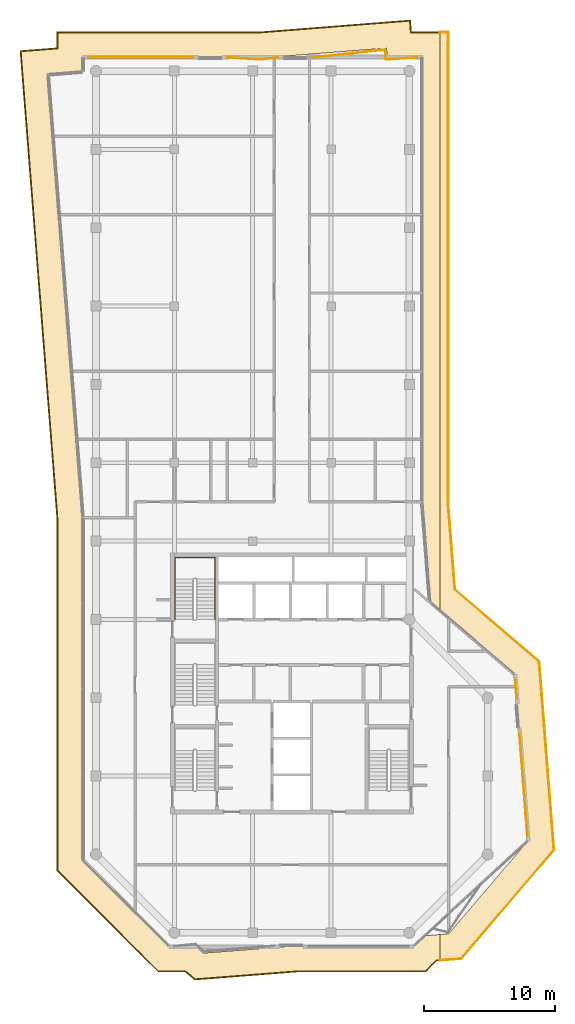
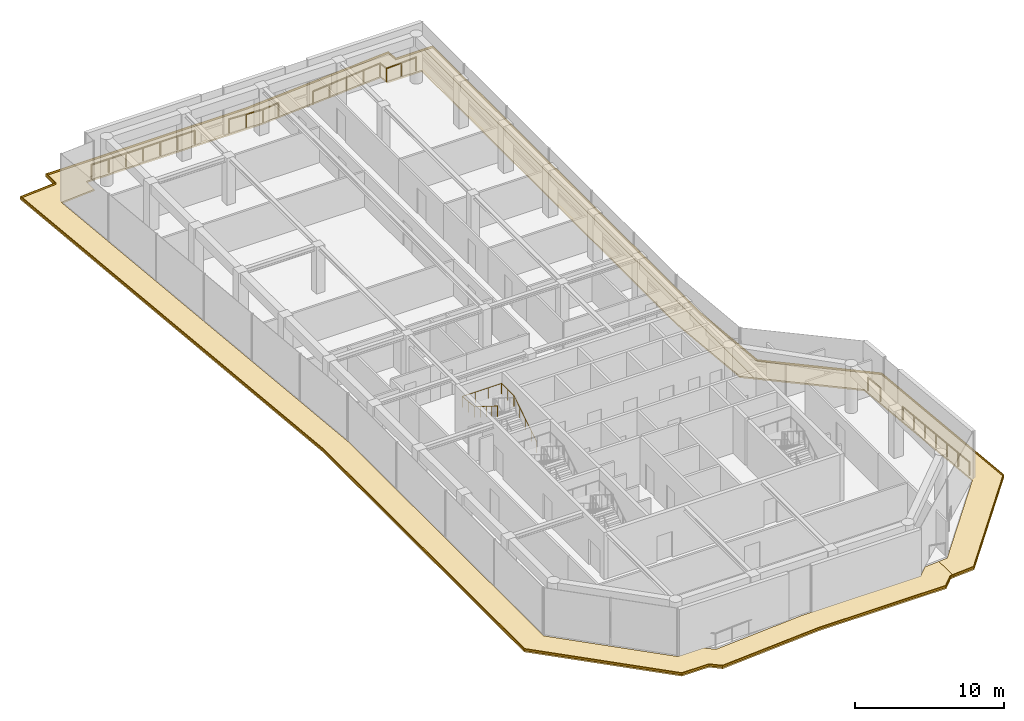
# One storey, part 23 of 23: 6 railings, 4 coverings.
"""IFC4 building model written with IfcOpenShell, lengths in metres."""

from ifc_helpers import new_model, si_unit, direction, frame, origin, origin_2d, place, context, subcontext, project, spatial, polyline, circle, outline, extrude, material, layer, layer_set, type_object, element, save


model = new_model("IFC4")

# Units and contexts
model_context = context("Model", 3, precision=1e-05, world=origin(), true_north=direction((0.0, 1.0)))
body_context = subcontext(model_context, "Body", "Model", "MODEL_VIEW")
ifc_project = project(units=[si_unit("LENGTHUNIT", "METRE"), si_unit("AREAUNIT", "SQUARE_METRE"), si_unit("VOLUMEUNIT", "CUBIC_METRE"), si_unit("PLANEANGLEUNIT", "RADIAN"), si_unit("MASSUNIT", "GRAM", prefix="KILO")], contexts=[model_context])

# Site, building, storey
site_placement = place(None, origin())
site = spatial("IfcSite", under=ifc_project, at=site_placement, CompositionType="ELEMENT")
building_placement = place(site_placement, origin())
building = spatial("IfcBuilding", under=site, at=building_placement, Name="Welwitschia Terrace Campus", CompositionType="ELEMENT")
storey_placement = place(building_placement, frame((0.0, 0.0, 306.199951171875)))
storey = spatial("IfcBuildingStorey", under=building, at=storey_placement, Name="L68", CompositionType="ELEMENT", Elevation=306.199951171875)

# Railings
ifc_material_1 = material(Name="Stainless steel grade 316", Category="steel")
railing_type_1 = type_object("IfcRailingType", Name="Guard 1100", PredefinedType="GUARDRAIL", material=ifc_material_1)
railing_1_placement = place(storey_placement, frame((-0.580078125, 63.030029296875, 0.0)))
element("IfcRailing", 1, at=railing_1_placement, inside=storey, type_object=railing_type_1, Name="Guard floor edge L68.0", PredefinedType="GUARDRAIL", context=body_context, shape_type="SweptSolid", body=[
    extrude(circle(Radius=0.02392578125, at=origin_2d()), frame((0.0, 0.0, 1.076171875), z_axis=(1.0, 0.0, 0.0), x_axis=(0.0, 1.0, 0.0)), (0.0, 0.0, 1.0), 7.998779296875),
    extrude(circle(Radius=0.02099609375, at=origin_2d()), origin(), (0.0, 0.0, 1.0), 1.052001953125),
    extrude(circle(Radius=0.02099609375, at=origin_2d()), frame((1.3330078125, 0.0, 0.0)), (0.0, 0.0, 1.0), 1.052001953125),
    extrude(circle(Radius=0.02099609375, at=origin_2d()), frame((2.666259765625, 0.0, 0.0)), (0.0, 0.0, 1.0), 1.052001953125),
    extrude(circle(Radius=0.02099609375, at=origin_2d()), frame((3.99951171875, 0.0, 0.0)), (0.0, 0.0, 1.0), 1.052001953125),
    extrude(circle(Radius=0.02099609375, at=origin_2d()), frame((5.33251953125, 0.0, 0.0)), (0.0, 0.0, 1.0), 1.052001953125),
    extrude(circle(Radius=0.02099609375, at=origin_2d()), frame((6.66552734375, 0.0, 0.0)), (0.0, 0.0, 1.0), 1.052001953125),
    extrude(circle(Radius=0.02099609375, at=origin_2d()), frame((7.998779296875, 0.0, 0.0)), (0.0, 0.0, 1.0), 1.052001953125),
])
railing_2_placement = place(storey_placement, frame((10.066162109375, 63.030029296875, 0.0)))
element("IfcRailing", 2, at=railing_2_placement, inside=storey, type_object=railing_type_1, Name="Guard floor edge L68.2", PredefinedType="GUARDRAIL", context=body_context, shape_type="SweptSolid", body=[
    extrude(circle(Radius=0.02392578125, at=origin_2d()), frame((0.0, 0.0, 1.076171875), z_axis=(0.998273384996, -0.058738818578, 0.0), x_axis=(0.058738818578, 0.998273384996, 0.0)), (0.0, 0.0, 1.0), 2.55615234375),
    extrude(circle(Radius=0.02392578125, at=origin_2d()), frame((2.5517578125, -0.150146484375, 1.076171875), z_axis=(0.993319889895, 0.115393224837, 0.0), x_axis=(-0.115393224837, 0.993319889895, 0.0)), (0.0, 0.0, 1.0), 1.30126953125),
    extrude(circle(Radius=0.02099609375, at=origin_2d()), origin(), (0.0, 0.0, 1.0), 1.052001953125),
    extrude(circle(Radius=0.02099609375, at=origin_2d()), frame((1.27587890625, -0.0751953125, 0.0)), (0.0, 0.0, 1.0), 1.052001953125),
    extrude(circle(Radius=0.02099609375, at=origin_2d()), frame((2.5517578125, -0.150146484375, 0.0)), (0.0, 0.0, 1.0), 1.052001953125),
    extrude(circle(Radius=0.02099609375, at=origin_2d()), frame((3.84423828125, 0.0, 0.0)), (0.0, 0.0, 1.0), 1.052001953125),
])
railing_3_placement = place(storey_placement, frame((16.576904296875, 63.030029296875, 0.0)))
element("IfcRailing", 3, at=railing_3_placement, inside=storey, type_object=railing_type_1, Name="Guard floor edge L68.4", PredefinedType="GUARDRAIL", context=body_context, shape_type="SweptSolid", body=[
    extrude(circle(Radius=0.02392578125, at=origin_2d()), frame((0.0, 0.0, 1.076171875), z_axis=(0.994246422852, 0.107116995133, 0.0), x_axis=(-0.107116995133, 0.994246422852, 0.0)), (0.0, 0.0, 1.0), 5.595458984375),
    extrude(circle(Radius=0.02392578125, at=origin_2d()), frame((5.563232421875, 0.599365234375, 1.076171875), z_axis=(0.078583590154, -0.996907527988, 0.0), x_axis=(0.996907527988, 0.078583590154, 0.0)), (0.0, 0.0, 1.0), 0.751953125),
    extrude(circle(Radius=0.02392578125, at=origin_2d()), frame((5.622314453125, -0.150146484375, 1.076171875), z_axis=(0.998017378586, 0.062938954864, 0.0), x_axis=(-0.062938954864, 0.998017378586, 0.0)), (0.0, 0.0, 1.0), 2.385498046875),
    extrude(circle(Radius=0.02099609375, at=origin_2d()), origin(), (0.0, 0.0, 1.0), 1.052001953125),
    extrude(circle(Radius=0.02099609375, at=origin_2d()), frame((1.390869140625, 0.14990234375, 0.0)), (0.0, 0.0, 1.0), 1.052001953125),
    extrude(circle(Radius=0.02099609375, at=origin_2d()), frame((2.78173828125, 0.2998046875, 0.0)), (0.0, 0.0, 1.0), 1.052001953125),
    extrude(circle(Radius=0.02099609375, at=origin_2d()), frame((4.17236328125, 0.449462890625, 0.0)), (0.0, 0.0, 1.0), 1.052001953125),
    extrude(circle(Radius=0.02099609375, at=origin_2d()), frame((5.563232421875, 0.599365234375, 0.0)), (0.0, 0.0, 1.0), 1.052001953125),
    extrude(circle(Radius=0.02099609375, at=origin_2d()), frame((5.622314453125, -0.150146484375, 0.0)), (0.0, 0.0, 1.0), 1.052001953125),
    extrude(circle(Radius=0.02099609375, at=origin_2d()), frame((6.812744140625, -0.0751953125, 0.0)), (0.0, 0.0, 1.0), 1.052001953125),
    extrude(circle(Radius=0.02099609375, at=origin_2d()), frame((8.003173828125, 0.0, 0.0)), (0.0, 0.0, 1.0), 1.052001953125),
])
railing_4_placement = place(storey_placement, frame((32.106201171875, 15.385498046875, 0.0)))
element("IfcRailing", 4, at=railing_4_placement, inside=storey, type_object=railing_type_1, Name="Guard floor edge L68.6", PredefinedType="GUARDRAIL", context=body_context, shape_type="SweptSolid", body=[
    extrude(circle(Radius=0.02392578125, at=origin_2d()), frame((0.0, 0.0, 1.076171875), z_axis=(0.07845417653, -0.99691772087, 0.0), x_axis=(0.99691772087, 0.07845417653, 0.0)), (0.0, 0.0, 1.0), 1.4658203125),
    extrude(circle(Radius=0.02099609375, at=origin_2d()), origin(), (0.0, 0.0, 1.0), 1.052001953125),
    extrude(circle(Radius=0.02099609375, at=origin_2d()), frame((0.114990234375, -1.461181640625, 0.0)), (0.0, 0.0, 1.0), 1.052001953125),
])
railing_5_placement = place(storey_placement, frame((32.4287109375, 11.284912109375, 0.0)))
element("IfcRailing", 5, at=railing_5_placement, inside=storey, type_object=railing_type_1, Name="Guard floor edge L68.7", PredefinedType="GUARDRAIL", context=body_context, shape_type="SweptSolid", body=[
    extrude(circle(Radius=0.02392578125, at=origin_2d()), frame((0.0, 0.0, 1.076171875), z_axis=(0.078477584204, -0.996915878486, 0.0), x_axis=(0.996915878486, 0.078477584204, 0.0)), (0.0, 0.0, 1.0), 7.892578125),
    extrude(circle(Radius=0.02099609375, at=origin_2d()), origin(), (0.0, 0.0, 1.0), 1.052001953125),
    extrude(circle(Radius=0.02099609375, at=origin_2d()), frame((0.103271484375, -1.311279296875, 0.0)), (0.0, 0.0, 1.0), 1.052001953125),
    extrude(circle(Radius=0.02099609375, at=origin_2d()), frame((0.20654296875, -2.622802734375, 0.0)), (0.0, 0.0, 1.0), 1.052001953125),
    extrude(circle(Radius=0.02099609375, at=origin_2d()), frame((0.3095703125, -3.93408203125, 0.0)), (0.0, 0.0, 1.0), 1.052001953125),
    extrude(circle(Radius=0.02099609375, at=origin_2d()), frame((0.412841796875, -5.245361328125, 0.0)), (0.0, 0.0, 1.0), 1.052001953125),
    extrude(circle(Radius=0.02099609375, at=origin_2d()), frame((0.51611328125, -6.556884765625, 0.0)), (0.0, 0.0, 1.0), 1.052001953125),
    extrude(circle(Radius=0.02099609375, at=origin_2d()), frame((0.619384765625, -7.8681640625, 0.0)), (0.0, 0.0, 1.0), 1.052001953125),
])
ifc_material_2 = material(Name="Steel S355", Category="steel")
railing_type_2 = type_object("IfcRailingType", Name="Stair handrail 900", PredefinedType="HANDRAIL", material=ifc_material_2)
railing_6_placement = place(storey_placement, frame((9.10009765625, 20.0, 0.175048828125)))
element("IfcRailing", 6, at=railing_6_placement, inside=storey, type_object=railing_type_2, Name="L68 S4 stair handrail", PredefinedType="HANDRAIL", context=body_context, shape_type="SweptSolid", body=[
    extrude(circle(Radius=0.02392578125, at=origin_2d()), frame((0.0, 0.0, 0.8759765625), z_axis=(0.0, 0.847998304005, 0.529998940003), x_axis=(-1.0, 0.0, 0.0)), (0.0, 0.0, 1.0), 3.632080078125),
    extrude(circle(Radius=0.02392578125, at=origin_2d()), frame((0.0, 3.080078125, 2.80078125), z_axis=(0.0, 1.0, 0.0), x_axis=(-1.0, 0.0, 0.0)), (0.0, 0.0, 1.0), 1.669921875),
    extrude(circle(Radius=0.02392578125, at=origin_2d()), frame((0.0, 4.75, 2.80078125), z_axis=(-1.0, 0.0, 0.0), x_axis=(0.0, -1.0, 0.0)), (0.0, 0.0, 1.0), 3.050048828125),
    extrude(circle(Radius=0.02392578125, at=origin_2d()), frame((-3.050048828125, 4.75, 2.80078125), z_axis=(0.0, -0.99455077262, 0.104253348533), x_axis=(1.0, 0.0, 0.0)), (0.0, 0.0, 1.0), 1.678955078125),
    extrude(circle(Radius=0.02392578125, at=origin_2d()), frame((-3.050048828125, 3.080078125, 2.97607421875), z_axis=(0.0, -0.848028513186, 0.529950602248), x_axis=(1.0, 0.0, 0.0)), (0.0, 0.0, 1.0), 3.632080078125),
    extrude(circle(Radius=0.02099609375, at=origin_2d()), origin(), (0.0, 0.0, 1.0), 0.851806640625),
    extrude(circle(Radius=0.02099609375, at=origin_2d()), frame((0.0, 0.77001953125, 0.481201171875)), (0.0, 0.0, 1.0), 0.851806640625),
    extrude(circle(Radius=0.02099609375, at=origin_2d()), frame((0.0, 1.5400390625, 0.96240234375)), (0.0, 0.0, 1.0), 0.851806640625),
    extrude(circle(Radius=0.02099609375, at=origin_2d()), frame((0.0, 2.31005859375, 1.44384765625)), (0.0, 0.0, 1.0), 0.851806640625),
    extrude(circle(Radius=0.02099609375, at=origin_2d()), frame((0.0, 3.080078125, 1.925048828125)), (0.0, 0.0, 1.0), 0.851806640625),
    extrude(circle(Radius=0.02099609375, at=origin_2d()), frame((0.0, 3.9150390625, 1.925048828125)), (0.0, 0.0, 1.0), 0.851806640625),
    extrude(circle(Radius=0.02099609375, at=origin_2d()), frame((0.0, 4.75, 1.925048828125)), (0.0, 0.0, 1.0), 0.851806640625),
    extrude(circle(Radius=0.02099609375, at=origin_2d()), frame((-1.0166015625, 4.75, 1.925048828125)), (0.0, 0.0, 1.0), 0.851806640625),
    extrude(circle(Radius=0.02099609375, at=origin_2d()), frame((-2.033447265625, 4.75, 1.925048828125)), (0.0, 0.0, 1.0), 0.851806640625),
    extrude(circle(Radius=0.02099609375, at=origin_2d()), frame((-3.050048828125, 4.75, 1.925048828125)), (0.0, 0.0, 1.0), 0.851806640625),
    extrude(circle(Radius=0.02099609375, at=origin_2d()), frame((-3.050048828125, 3.9150390625, 2.0126953125)), (0.0, 0.0, 1.0), 0.851806640625),
    extrude(circle(Radius=0.02099609375, at=origin_2d()), frame((-3.050048828125, 3.080078125, 2.10009765625)), (0.0, 0.0, 1.0), 0.851806640625),
    extrude(circle(Radius=0.02099609375, at=origin_2d()), frame((-3.050048828125, 2.31005859375, 2.581298828125)), (0.0, 0.0, 1.0), 0.851806640625),
    extrude(circle(Radius=0.02099609375, at=origin_2d()), frame((-3.050048828125, 1.5400390625, 3.0625)), (0.0, 0.0, 1.0), 0.851806640625),
    extrude(circle(Radius=0.02099609375, at=origin_2d()), frame((-3.050048828125, 0.77001953125, 3.543701171875)), (0.0, 0.0, 1.0), 0.851806640625),
    extrude(circle(Radius=0.02099609375, at=origin_2d()), frame((-3.050048828125, 0.0, 4.02490234375)), (0.0, 0.0, 1.0), 0.851806640625),
])

# Coverings
ifc_material_3 = material(Name="Bronze anodised aluminium", Category="aluminium")
ifc_layer_1 = layer(ifc_material_3, 0.1201171875)
ifc_layer_set_1 = layer_set([ifc_layer_1], Name="Bronze anodised aluminium")
covering_type_1 = type_object("IfcCoveringType", Name="Sunshade band 2000", PredefinedType="USERDEFINED", material=ifc_layer_set_1)
covering_1_placement = place(storey_placement, frame((0.0, 0.0, -0.25)))
element("IfcCovering", 7, at=covering_1_placement, inside=storey, type_object=covering_type_1, Name="SUNSHADE L68.SW0", ObjectType="SUNSHADE", PredefinedType="USERDEFINED", context=body_context, shape_type="SweptSolid", body=[
    extrude(outline(polyline([(-3.0, 63.77734375), (-3.0, 65.0), (12.534423828125, 65.0), (24.08740234375, 65.9091796875), (24.158935546875, 65.0), (26.33056640625, 65.0), (26.33056640625, 20.6728515625), (25.591552734375, 21.303955078125), (25.0, 28.8212890625), (25.0, 63.0), (22.31005859375, 63.0), (22.25048828125, 63.758544921875), (12.613037109375, 63.0), (-1.0, 63.0), (-1.0, 61.9287109375), (-3.66943359375, 61.718505859375), (-1.0, 27.7998046875), (-1.0, 1.585693359375), (5.585693359375, -5.0), (7.581298828125, -5.0), (8.231201171875, -5.55517578125), (15.284912109375, -5.0), (24.414306640625, -5.0), (25.194091796875, -4.22021484375), (26.33056640625, -4.130615234375), (26.33056640625, -6.136962890625), (26.086669921875, -6.156005859375), (25.24267578125, -7.0), (15.36328125, -7.0), (7.562255859375, -7.614013671875), (6.843505859375, -7.0), (4.75732421875, -7.0), (-3.0, 0.75732421875), (-3.0, 27.72119140625), (-5.8203125, 63.555419921875), (-3.0, 63.77734375)])), origin(), (0.0, 0.0, 1.0), 0.1201171875),
])
covering_2_placement = place(storey_placement, frame((0.0, 0.0, -0.25)))
element("IfcCovering", 8, at=covering_2_placement, inside=storey, type_object=covering_type_1, Name="SUNSHADE L68.SE0", ObjectType="SUNSHADE", PredefinedType="USERDEFINED", context=body_context, shape_type="SweptSolid", body=[
    extrude(outline(polyline([(27.0, 65.0), (27.0, 28.89990234375), (27.5205078125, 22.286865234375), (33.97265625, 16.77587890625), (35.109130859375, 2.33544921875), (27.984375, -6.006591796875), (26.33056640625, -6.136962890625), (26.33056640625, -4.130615234375), (27.001708984375, -4.077880859375), (33.05029296875, 3.00439453125), (32.0439453125, 15.793212890625), (26.33056640625, 20.6728515625), (26.33056640625, 65.0), (27.0, 65.0)])), origin(), (0.0, 0.0, 1.0), 0.1201171875),
])
ifc_material_4 = material(Name="Bronze anodised aluminium", Category="aluminium")
ifc_layer_2 = layer(ifc_material_4, 0.06005859375)
ifc_layer_set_2 = layer_set([ifc_layer_2], Name="Bronze anodised aluminium")
covering_type_2 = type_object("IfcCoveringType", Name="Sunshade lip 60", PredefinedType="USERDEFINED", material=ifc_layer_set_2)
covering_3_placement = place(storey_placement, frame((0.0, 0.0, -0.1298828125)))
element("IfcCovering", 9, at=covering_3_placement, inside=storey, type_object=covering_type_2, Name="SUNSHADE LIP L68.SW0.0", ObjectType="SUNSHADE", PredefinedType="USERDEFINED", context=body_context, shape_type="SweptSolid", body=[
    extrude(outline(polyline([(-3.0, 65.0), (12.534423828125, 65.0), (24.08740234375, 65.9091796875), (24.158935546875, 65.0), (26.33056640625, 65.0), (26.33056640625, 64.93994140625), (24.103515625, 64.93994140625), (24.0322265625, 65.8447265625), (12.536865234375, 64.93994140625), (-2.93994140625, 64.93994140625), (-2.93994140625, 63.721923828125), (-5.755615234375, 63.500244140625), (-2.93994140625, 27.7236328125), (-2.93994140625, 0.7822265625), (4.7822265625, -6.93994140625), (6.865478515625, -6.93994140625), (7.58251953125, -7.55224609375), (15.361083984375, -6.93994140625), (25.2177734375, -6.93994140625), (26.059814453125, -6.097900390625), (26.33056640625, -6.07666015625), (26.33056640625, -6.136962890625), (26.086669921875, -6.156005859375), (25.24267578125, -7.0), (15.36328125, -7.0), (7.562255859375, -7.614013671875), (6.843505859375, -7.0), (4.75732421875, -7.0), (-3.0, 0.75732421875), (-3.0, 27.72119140625), (-5.8203125, 63.555419921875), (-3.0, 63.77734375), (-3.0, 65.0)])), origin(), (0.0, 0.0, 1.0), 0.1298828125),
])
covering_4_placement = place(storey_placement, frame((0.0, 0.0, -0.1298828125)))
element("IfcCovering", 10, at=covering_4_placement, inside=storey, type_object=covering_type_2, Name="SUNSHADE LIP L68.SE0.0", ObjectType="SUNSHADE", PredefinedType="USERDEFINED", context=body_context, shape_type="SweptSolid", body=[
    extrude(outline(polyline([(27.0, 28.89990234375), (27.5205078125, 22.286865234375), (33.97265625, 16.77587890625), (35.109130859375, 2.33544921875), (27.984375, -6.006591796875), (26.33056640625, -6.136962890625), (26.33056640625, -6.07666015625), (27.954833984375, -5.94873046875), (35.047607421875, 2.35546875), (33.914794921875, 16.74658203125), (27.462646484375, 22.25732421875), (26.93994140625, 28.897705078125), (26.93994140625, 64.93994140625), (26.33056640625, 64.93994140625), (26.33056640625, 65.0), (27.0, 65.0), (27.0, 28.89990234375)])), origin(), (0.0, 0.0, 1.0), 0.1298828125),
])

save(model, "model.ifc")
